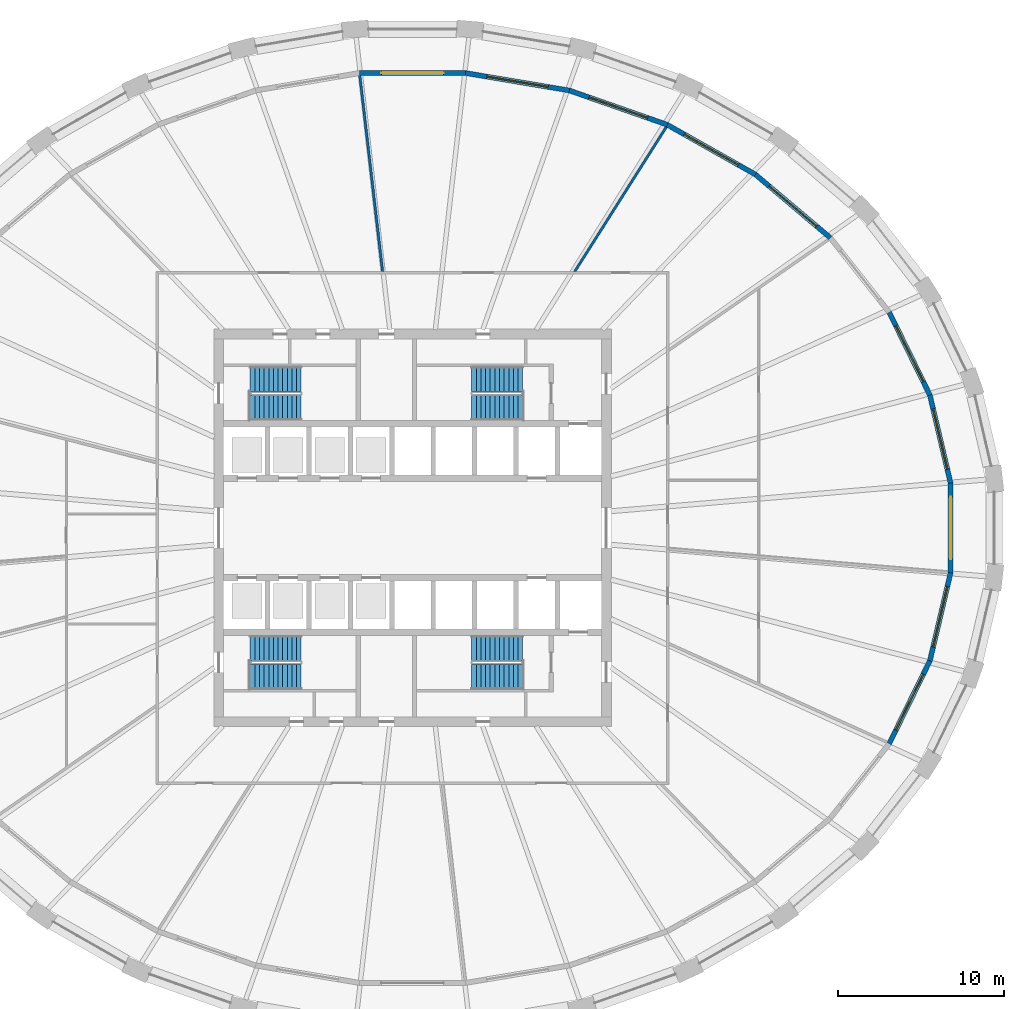
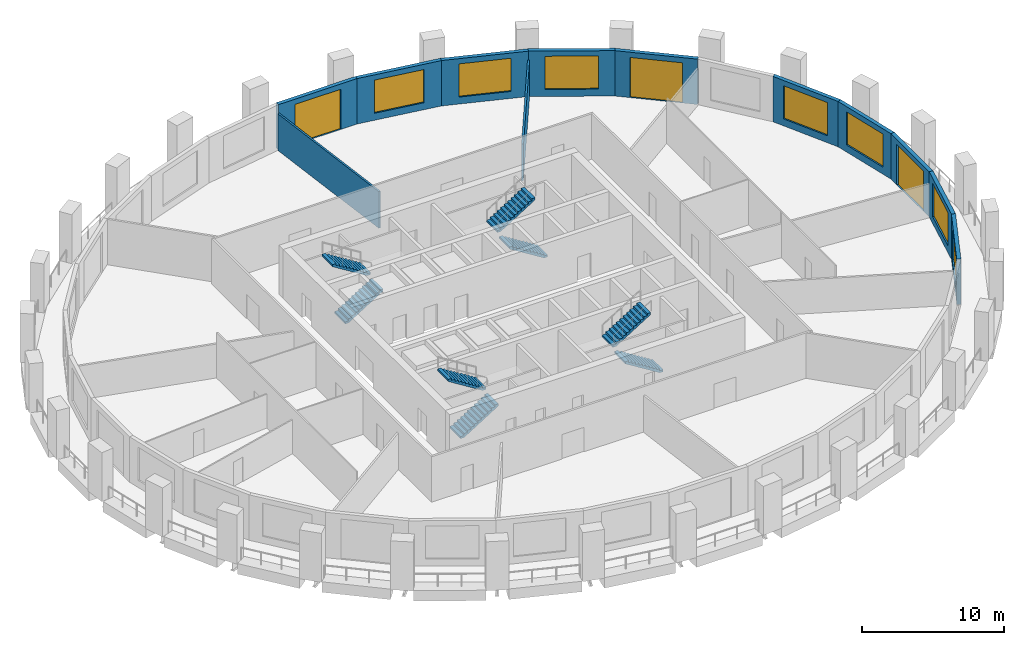
# One storey, part 7 of 10: 12 walls, 8 stair flights, 7 windows, 3 doors, 10 openings, 4 elements without a shape of their own.
"""IFC4 building model written with IfcOpenShell, lengths in metres."""

import ifcopenshell
import ifcopenshell.guid

model = None  # the IFC model being written
_history = None  # IfcOwnerHistory: only IFC2X3 demands one
_inside = {}  # id of a spatial element -> (the spatial element, [elements in it])
_under = {}  # id of a project, library or spatial element -> (it, [spatial elements below it])
_declared = {}  # id of a project -> (the project, [libraries it declares])
_typed = {}  # id of a type object -> (the type object, [elements of that type])
_made_of = {}  # id of a material, layer set ... -> (it, [elements and type objects made of it])


def new_model(schema):
    """Start an empty IFC model of exactly this schema.

    Asked for "IFC4X3", IfcOpenShell would pick the latest addendum, in which some entities
    have other attributes; the version numbers below select the first issue.
    IFC2X3 requires an IfcOwnerHistory on every rooted entity: one is made here for all.
    """
    global model, _history
    if schema == "IFC4X3":
        model = ifcopenshell.file(schema_version=(4, 3, 0, 0))
    else:
        model = ifcopenshell.file(schema=schema)
    _inside.clear()
    _under.clear()
    _declared.clear()
    _typed.clear()
    _made_of.clear()
    _history = None
    if model.schema == "IFC2X3":
        org = make("IfcOrganization", Name="unknown")
        user = make(
            "IfcPersonAndOrganization",
            ThePerson=make("IfcPerson", FamilyName="unknown"),
            TheOrganization=org,
        )
        app = make(
            "IfcApplication",
            ApplicationDeveloper=org,
            Version="unknown",
            ApplicationFullName="unknown",
            ApplicationIdentifier="unknown",
        )
        _history = make(
            "IfcOwnerHistory",
            OwningUser=user,
            OwningApplication=app,
            ChangeAction="ADDED",
            CreationDate=0,
        )
    return model


def make(cls, **values):
    """One entity of the class cls with the attributes given. An attribute that is None is left unset."""
    return model.create_entity(
        cls, **{name: value for name, value in values.items() if value is not None}
    )


def rooted(cls, **values):
    """An entity with a GlobalId (a new one), such as an element, a storey or a relation."""
    return make(cls, GlobalId=ifcopenshell.guid.new(), OwnerHistory=_history, **values)


def si_unit(unit_type, name, prefix=None):
    """IfcSIUnit, for example si_unit("LENGTHUNIT", "METRE", prefix="MILLI")."""
    return make("IfcSIUnit", UnitType=unit_type, Prefix=prefix, Name=name)


def assignment(units):
    """IfcUnitAssignment: the units of a project."""
    return None if units is None else make("IfcUnitAssignment", Units=units)


def point(xyz):
    """IfcCartesianPoint."""
    return None if xyz is None else make("IfcCartesianPoint", Coordinates=xyz)


def direction(xyz):
    """IfcDirection."""
    return None if xyz is None else make("IfcDirection", DirectionRatios=xyz)


def frame(location, z_axis=None, x_axis=None):
    """IfcAxis2Placement3D, a coordinate frame: its origin and axes. An axis left out is left unset."""
    return make(
        "IfcAxis2Placement3D",
        Location=point(location),
        Axis=direction(z_axis),
        RefDirection=direction(x_axis),
    )


def frame_2d(location, x_axis=None):
    """IfcAxis2Placement2D, a coordinate frame in the plane: its origin and x axis."""
    return make(
        "IfcAxis2Placement2D", Location=point(location), RefDirection=direction(x_axis)
    )


def origin():
    """The frame at (0, 0, 0) with its axes left unset."""
    return frame((0.0, 0.0, 0.0))


def place(relative_to, where):
    """IfcLocalPlacement: puts the frame where relative to a parent placement (None: the world)."""
    return make(
        "IfcLocalPlacement", PlacementRelTo=relative_to, RelativePlacement=where
    )


def context(
    kind, dimensions, precision=None, world=None, true_north=None, identifier=None
):
    """IfcGeometricRepresentationContext, for example the 3D "Model" context."""
    return make(
        "IfcGeometricRepresentationContext",
        ContextIdentifier=identifier,
        ContextType=kind,
        CoordinateSpaceDimension=dimensions,
        Precision=precision,
        WorldCoordinateSystem=world,
        TrueNorth=true_north,
    )


def subcontext(parent, identifier, kind, view, scale=None):
    """IfcGeometricRepresentationSubContext, for example "Body" below "Model"."""
    return make(
        "IfcGeometricRepresentationSubContext",
        ContextIdentifier=identifier,
        ContextType=kind,
        ParentContext=parent,
        TargetScale=scale,
        TargetView=view,
    )


def project(units=None, contexts=None):
    """IfcProject with its units and contexts."""
    return rooted(
        "IfcProject",
        Name="project",
        RepresentationContexts=contexts,
        UnitsInContext=assignment(units),
    )


def spatial(cls, under=None, at=None, **own):
    """A site, building, storey or space (cls), placed at a placement, below another one or the project."""
    s = rooted(cls, ObjectPlacement=at, **own)
    if under is not None:
        _under.setdefault(under.id(), (under, []))[1].append(s)
    return s


def polyline(points):
    """IfcPolyline through the points."""
    return make("IfcPolyline", Points=[point(p) for p in points])


def profile(cls, at=None, kind="AREA", **sizes):
    """A parametric profile (cls). Its sizes go by their IFC names, for example OverallWidth=200.0."""
    return make(cls, ProfileType=kind, Position=at, **sizes)


def rectangle(**sizes):
    """IfcRectangleProfileDef."""
    return profile("IfcRectangleProfileDef", **sizes)


def outline(outer, holes=None, kind="AREA"):
    """IfcArbitraryClosedProfileDef: a profile drawn as a closed curve; with holes, ...WithVoids."""
    if holes is None:
        return make("IfcArbitraryClosedProfileDef", ProfileType=kind, OuterCurve=outer)
    return make(
        "IfcArbitraryProfileDefWithVoids",
        ProfileType=kind,
        OuterCurve=outer,
        InnerCurves=holes,
    )


def extrude(swept, where, along, depth):
    """IfcExtrudedAreaSolid: the profile swept, set in the frame where, extruded along a direction by depth."""
    return make(
        "IfcExtrudedAreaSolid",
        SweptArea=swept,
        Position=where,
        ExtrudedDirection=direction(along),
        Depth=depth,
    )


def shape(context_of_items, identifier, shape_type, items):
    """IfcShapeRepresentation: the items that make up one representation, for example the "Body"."""
    return make(
        "IfcShapeRepresentation",
        ContextOfItems=context_of_items,
        RepresentationIdentifier=identifier,
        RepresentationType=shape_type,
        Items=items,
    )


def material(Name=None, Category=None):
    """IfcMaterial."""
    return make("IfcMaterial", Name=Name, Category=Category)


def layer(
    of_material, thickness, ventilated=None, Name=None, Category=None, Priority=None
):
    """IfcMaterialLayer: one layer of a wall or slab, of a material (None: an air gap)."""
    return make(
        "IfcMaterialLayer",
        Material=of_material,
        LayerThickness=thickness,
        IsVentilated=ventilated,
        Name=Name,
        Category=Category,
        Priority=Priority,
    )


def layer_set(layers, Name=None):
    """IfcMaterialLayerSet."""
    return make("IfcMaterialLayerSet", MaterialLayers=layers, LayerSetName=Name)


def made_of(thing, what):
    """Note that an element or type object is made of a material, layer set ...; save() writes the relation."""
    if what is not None:
        _made_of.setdefault(what.id(), (what, []))[1].append(thing)
    return thing


def type_object(cls, material=None, **own):
    """A type object (cls), such as IfcWallType, which elements share."""
    return made_of(rooted(cls, **own), material)


def element(
    cls,
    number,
    at=None,
    inside=None,
    cuts=None,
    type_object=None,
    material=None,
    context=None,
    identifier="Body",
    shape_type=None,
    held_by="IfcProductDefinitionShape",
    body=None,
    shapes=None,
    **own,
):
    """One element of the class cls, such as IfcWall. Its Tag is "e" and its number.

    at: its placement. inside: the storey or other place that contains it. cuts: it is an
    opening in that element (IfcRelVoidsElement). A single representation is given by context,
    identifier, shape_type and body (its items); several are given by shapes. held_by: the class
    of the entity that holds the representations. save() writes the other relations.
    """
    e = rooted(cls, Tag="e%d" % number, ObjectPlacement=at, **own)
    if body is not None:
        shapes = [shape(context, identifier, shape_type, body)]
    if shapes is not None:
        e.Representation = make(held_by, Representations=shapes)
    if inside is not None:
        _inside.setdefault(inside.id(), (inside, []))[1].append(e)
    if cuts is not None:
        rooted(
            "IfcRelVoidsElement", RelatingBuildingElement=cuts, RelatedOpeningElement=e
        )
    if type_object is not None:
        _typed.setdefault(type_object.id(), (type_object, []))[1].append(e)
    return made_of(e, material)


def fill(opening, filler):
    """IfcRelFillsElement: the door or window that sits in an opening."""
    return rooted(
        "IfcRelFillsElement",
        RelatingOpeningElement=opening,
        RelatedBuildingElement=filler,
    )


def aggregate(whole, parts):
    """IfcRelAggregates: a whole, such as a stair, and the parts it consists of."""
    return rooted("IfcRelAggregates", RelatingObject=whole, RelatedObjects=parts)


def save(model, path):
    """Write the relations noted so far, then the file.

    IfcRelAggregates (storeys below a building ...), IfcRelContainedInSpatialStructure (elements
    in a storey), IfcRelDefinesByType, IfcRelAssociatesMaterial and IfcRelDeclares: one each for
    every whole, place, type object, material and project.
    """
    for whole, parts in _under.values():
        aggregate(whole, parts)
    for where, things in _inside.values():
        rooted(
            "IfcRelContainedInSpatialStructure",
            RelatedElements=things,
            RelatingStructure=where,
        )
    for kind, things in _typed.values():
        rooted("IfcRelDefinesByType", RelatedObjects=things, RelatingType=kind)
    for what, things in _made_of.values():
        rooted("IfcRelAssociatesMaterial", RelatedObjects=things, RelatingMaterial=what)
    for by, libraries in _declared.values():
        rooted("IfcRelDeclares", RelatingContext=by, RelatedDefinitions=libraries)
    model.write(path)


model = new_model("IFC4")

# Units and contexts
model_context = context("Model", 3, precision=1e-05, world=origin(), true_north=direction((0.0, 1.0)))
body_context = subcontext(model_context, "Body", "Model", "MODEL_VIEW")
ifc_project = project(units=[si_unit("LENGTHUNIT", "METRE"), si_unit("AREAUNIT", "SQUARE_METRE"), si_unit("VOLUMEUNIT", "CUBIC_METRE"), si_unit("PLANEANGLEUNIT", "RADIAN"), si_unit("MASSUNIT", "GRAM", prefix="KILO")], contexts=[model_context])

# Site, building, storey
site_placement = place(None, origin())
site = spatial("IfcSite", under=ifc_project, at=site_placement, CompositionType="ELEMENT")
building_placement = place(site_placement, origin())
building = spatial("IfcBuilding", under=site, at=building_placement, Name="Halqa Exchange Tower", CompositionType="ELEMENT")
storey_placement = place(building_placement, frame((0.0, 0.0, 104.5)))
storey = spatial("IfcBuildingStorey", under=building, at=storey_placement, Name="L23", CompositionType="ELEMENT", Elevation=104.5)

# Walls
ifc_material_1 = material(Name="Fire-rated gypsum board")
ifc_layer_1 = layer(ifc_material_1, 0.14990234375)
ifc_layer_set_1 = layer_set([ifc_layer_1], Name="Fire-rated gypsum board")
wall_type_1 = type_object("IfcWallType", Name="Fire partition EI 60 150", PredefinedType="PARTITIONING", material=ifc_layer_set_1)
wall_1_placement = place(storey_placement, frame((-1.8076171875, 15.466552734375, 0.0), z_axis=(0.0, 0.0, 1.0), x_axis=(-0.115425226741, 0.993316171736, 0.0)))
element("IfcWall", 1, at=wall_1_placement, inside=storey, type_object=wall_type_1, Name="L23-PWL-013", PredefinedType="PARTITIONING", context=body_context, shape_type="SweptSolid", body=[
    extrude(outline(polyline([(0.0, -0.074951171875), (1.98681640625, -0.074951171875), (3.973388671875, -0.074951171875), (5.960205078125, -0.074951171875), (7.947021484375, -0.074951171875), (9.93359375, -0.074951171875), (11.92041015625, -0.074951171875), (11.925048828125, -0.03466796875), (11.925048828125, 0.074951171875), (9.9404296875, 0.074951171875), (7.955810546875, 0.074951171875), (5.97119140625, 0.074951171875), (3.986572265625, 0.074951171875), (2.001953125, 0.074951171875), (0.017333984375, 0.074951171875), (0.0, -0.0732421875), (0.0, -0.074951171875)])), origin(), (0.0, 0.0, 1.0), 3.14697265625),
])
wall_2_placement = place(storey_placement, frame((9.76220703125, 15.43505859375, 0.0), z_axis=(0.0, 0.0, 1.0), x_axis=(0.535189090909, 0.844732287161, 0.0)))
element("IfcWall", 2, at=wall_2_placement, inside=storey, type_object=wall_type_1, Name="L23-PWL-015", PredefinedType="PARTITIONING", context=body_context, shape_type="SweptSolid", body=[
    extrude(outline(polyline([(10.3857421875, -0.074951171875), (10.3857421875, -0.0693359375), (10.382080078125, 0.003662109375), (10.365478515625, 0.074951171875), (8.637939453125, 0.074951171875), (6.910400390625, 0.074951171875), (5.182861328125, 0.074951171875), (3.455078125, 0.074951171875), (1.7275390625, 0.074951171875), (0.0, 0.074951171875), (0.0, 0.07470703125), (0.0947265625, -0.074951171875), (1.809814453125, -0.074951171875), (3.525146484375, -0.074951171875), (5.240234375, -0.074951171875), (6.955322265625, -0.074951171875), (8.670654296875, -0.074951171875), (10.3857421875, -0.074951171875)])), origin(), (0.0, 0.0, 1.0), 3.14697265625),
])

# Wall, opening, window
ifc_material_2 = material(Name="Limestone cladding", Category="masonry")
ifc_layer_2 = layer(ifc_material_2, 0.0400390625)
ifc_material_3 = material(Name="Ventilated cavity")
ifc_layer_3 = layer(ifc_material_3, 0.030029296875, ventilated=True)
ifc_material_4 = material(Name="Mineral wool insulation")
ifc_layer_4 = layer(ifc_material_4, 0.10009765625)
ifc_material_5 = material(Name="Concrete C30/37", Category="concrete")
ifc_layer_5 = layer(ifc_material_5, 0.10009765625)
ifc_material_6 = material(Name="Internal plaster")
ifc_layer_6 = layer(ifc_material_6, 0.030029296875)
ifc_layer_set_2 = layer_set([ifc_layer_2, ifc_layer_3, ifc_layer_4, ifc_layer_5, ifc_layer_6], Name="Stone-faced insulated wall 300")
wall_type_2 = type_object("IfcWallType", Name="Stone-faced insulated wall 300", PredefinedType="STANDARD", material=ifc_layer_set_2)
wall_3_placement = place(storey_placement, frame((32.483154296875, 2.707763671875, 0.0), z_axis=(0.0, 0.0, 1.0), x_axis=(-0.229193964616, 0.973380771632, 0.0)))
wall_3 = element("IfcWall", 3, at=wall_3_placement, inside=storey, type_object=wall_type_2, Name="Glass-line wall 1", PredefinedType="STANDARD", context=body_context, shape_type="SweptSolid", body=[
    extrude(outline(polyline([(-0.017333984375, -0.14990234375), (5.472900390625, -0.14990234375), (5.439208984375, 0.14990234375), (0.017333984375, 0.14990234375), (-0.017333984375, -0.14990234375)])), origin(), (0.0, 0.0, 1.0), 3.89990234375),
])
opening_1_placement = place(wall_3_placement, frame((0.85302734375, 0.0, 0.60009765625)))
opening_1 = element("IfcOpeningElement", 4, at=opening_1_placement, cuts=wall_3, Name="Opening W-F2-01", PredefinedType="OPENING", context=body_context, shape_type="SweptSolid", body=[
    extrude(rectangle(XDim=3.75, YDim=2.85009765625, at=frame_2d((1.875, 1.425048828125))), frame((0.0, 0.162109375, 0.0), z_axis=(0.0, -1.0, 0.0), x_axis=(1.0, 0.0, 0.0)), (0.0, 0.0, 1.0), 0.323974609375),
])
ifc_material_7 = material(Name="Clear low-emissivity glass in aluminium frame", Category="aluminium")
window_type = type_object("IfcWindowType", Name="Fixed clear glazed window 3750 x 2850", PartitioningType="TRIPLE_PANEL_VERTICAL", PredefinedType="WINDOW", material=ifc_material_7)
window_1_placement = place(opening_1_placement, origin())
window_1 = element("IfcWindow", 5, at=window_1_placement, inside=storey, type_object=window_type, Name="Window 2", OverallHeight=2.85009765625, OverallWidth=3.75, PartitioningType="TRIPLE_PANEL_VERTICAL", PredefinedType="WINDOW", context=body_context, shape_type="SweptSolid", body=[
    extrude(rectangle(XDim=3.75, YDim=2.85009765625, at=frame_2d((1.875, 1.425048828125))), frame((0.0, 0.030029296875, 0.0), z_axis=(0.0, -1.0, 0.0), x_axis=(1.0, 0.0, 0.0)), (0.0, 0.0, 1.0), 0.06005859375),
])
fill(opening_1, window_1)

wall_4_placement = place(storey_placement, frame((31.232666015625, 8.0185546875, 0.0), z_axis=(0.0, 0.0, 1.0), x_axis=(-0.440238988749, 0.897880633929, 0.0)))
wall_4 = element("IfcWall", 6, at=wall_4_placement, inside=storey, type_object=wall_type_2, Name="Glass-line wall 2", PredefinedType="STANDARD", context=body_context, shape_type="SweptSolid", body=[
    extrude(outline(polyline([(-0.016845703125, -0.14990234375), (5.585693359375, -0.14990234375), (5.553466796875, 0.14990234375), (0.016845703125, 0.14990234375), (-0.016845703125, -0.14990234375)])), origin(), (0.0, 0.0, 1.0), 3.89990234375),
])
opening_2_placement = place(wall_4_placement, frame((0.90966796875, 0.0, 0.60009765625)))
opening_2 = element("IfcOpeningElement", 7, at=opening_2_placement, cuts=wall_4, Name="Opening W-F2-02", PredefinedType="OPENING", context=body_context, shape_type="SweptSolid", body=[
    extrude(rectangle(XDim=3.75, YDim=2.85009765625, at=frame_2d((1.875, 1.425048828125))), frame((0.0, 0.162109375, 0.0), z_axis=(0.0, -1.0, 0.0), x_axis=(1.0, 0.0, 0.0)), (0.0, 0.0, 1.0), 0.323974609375),
])
window_2_placement = place(opening_2_placement, origin())
window_2 = element("IfcWindow", 8, at=window_2_placement, inside=storey, type_object=window_type, Name="Window 2", OverallHeight=2.85009765625, OverallWidth=3.75, PartitioningType="TRIPLE_PANEL_VERTICAL", PredefinedType="WINDOW", context=body_context, shape_type="SweptSolid", body=[
    extrude(rectangle(XDim=3.75, YDim=2.85009765625, at=frame_2d((1.875, 1.425048828125))), frame((0.0, 0.030029296875, 0.0), z_axis=(0.0, -1.0, 0.0), x_axis=(1.0, 0.0, 0.0)), (0.0, 0.0, 1.0), 0.06005859375),
])
fill(opening_2, window_2)

# Wall, opening, door
wall_5_placement = place(storey_placement, frame((25.222900390625, 17.517822265625, 0.0), z_axis=(0.0, 0.0, 1.0), x_axis=(-0.763894031266, 0.645341699409, 0.0)))
wall_5 = element("IfcWall", 9, at=wall_5_placement, inside=storey, type_object=wall_type_2, Name="Glass-line wall 4", PredefinedType="STANDARD", context=body_context, shape_type="SweptSolid", body=[
    extrude(outline(polyline([(-0.01513671875, -0.14990234375), (5.93896484375, -0.14990234375), (5.91064453125, 0.14990234375), (0.01513671875, 0.14990234375), (-0.01513671875, -0.14990234375)])), origin(), (0.0, 0.0, 1.0), 3.89990234375),
])
opening_3_placement = place(wall_5_placement, frame((1.08740234375, 0.0, 0.0)))
opening_3 = element("IfcOpeningElement", 10, at=opening_3_placement, cuts=wall_5, Name="Opening LG-F2-01", PredefinedType="OPENING", context=body_context, shape_type="SweptSolid", body=[
    extrude(rectangle(XDim=3.75, YDim=3.449951171875, at=frame_2d((1.875, 1.72509765625))), frame((0.0, 0.162109375, 0.0), z_axis=(0.0, -1.0, 0.0), x_axis=(1.0, 0.0, 0.0)), (0.0, 0.0, 1.0), 0.323974609375),
])
door_type = type_object("IfcDoorType", Name="Glazed sliding loggia door 3750 x 3450", OperationType="DOUBLE_DOOR_SLIDING", PredefinedType="DOOR", material=ifc_material_7)
door_1_placement = place(opening_3_placement, origin())
door_1 = element("IfcDoor", 11, at=door_1_placement, inside=storey, type_object=door_type, Name="Loggia door 1", OperationType="DOUBLE_DOOR_SLIDING", OverallHeight=3.449951171875, OverallWidth=3.75, PredefinedType="DOOR", context=body_context, shape_type="SweptSolid", body=[
    extrude(rectangle(XDim=3.75, YDim=3.449951171875, at=frame_2d((1.875, 1.72509765625))), frame((0.0, 0.02490234375, 0.0), z_axis=(0.0, -1.0, 0.0), x_axis=(1.0, 0.0, 0.0)), (0.0, 0.0, 1.0), 0.050048828125),
])
fill(opening_3, door_1)

# Wall, opening, window
wall_6_placement = place(storey_placement, frame((20.697021484375, 21.34130859375, 0.0), z_axis=(0.0, 0.0, 1.0), x_axis=(-0.870828448417, 0.491587035455, 0.0)))
wall_6 = element("IfcWall", 12, at=wall_6_placement, inside=storey, type_object=wall_type_2, Name="Glass-line wall 5", PredefinedType="STANDARD", context=body_context, shape_type="SweptSolid", body=[
    extrude(outline(polyline([(-0.01416015625, -0.14990234375), (6.1220703125, -0.14990234375), (6.09521484375, 0.14990234375), (0.01416015625, 0.14990234375), (-0.01416015625, -0.14990234375)])), origin(), (0.0, 0.0, 1.0), 3.89990234375),
])
opening_4_placement = place(wall_6_placement, frame((1.17919921875, 0.0, 0.60009765625)))
opening_4 = element("IfcOpeningElement", 13, at=opening_4_placement, cuts=wall_6, Name="Opening W-F2-05", PredefinedType="OPENING", context=body_context, shape_type="SweptSolid", body=[
    extrude(rectangle(XDim=3.75, YDim=2.85009765625, at=frame_2d((1.875, 1.425048828125))), frame((0.0, 0.162109375, 0.0), z_axis=(0.0, -1.0, 0.0), x_axis=(1.0, 0.0, 0.0)), (0.0, 0.0, 1.0), 0.323974609375),
])
window_3_placement = place(opening_4_placement, origin())
window_3 = element("IfcWindow", 14, at=window_3_placement, inside=storey, type_object=window_type, Name="Window 2", OverallHeight=2.85009765625, OverallWidth=3.75, PartitioningType="TRIPLE_PANEL_VERTICAL", PredefinedType="WINDOW", context=body_context, shape_type="SweptSolid", body=[
    extrude(rectangle(XDim=3.75, YDim=2.85009765625, at=frame_2d((1.875, 1.425048828125))), frame((0.0, 0.030029296875, 0.0), z_axis=(0.0, -1.0, 0.0), x_axis=(1.0, 0.0, 0.0)), (0.0, 0.0, 1.0), 0.06005859375),
])
fill(opening_4, window_3)

wall_7_placement = place(storey_placement, frame((15.37744140625, 24.34423828125, 0.0), z_axis=(0.0, 0.0, 1.0), x_axis=(-0.943866868202, 0.330326104193, 0.0)))
wall_7 = element("IfcWall", 15, at=wall_7_placement, inside=storey, type_object=wall_type_2, Name="Glass-line wall 6", PredefinedType="STANDARD", context=body_context, shape_type="SweptSolid", body=[
    extrude(outline(polyline([(-0.013427734375, -0.14990234375), (6.272705078125, -0.14990234375), (6.247314453125, 0.14990234375), (0.013427734375, 0.14990234375), (-0.013427734375, -0.14990234375)])), origin(), (0.0, 0.0, 1.0), 3.89990234375),
])
opening_5_placement = place(wall_7_placement, frame((1.255126953125, 0.0, 0.60009765625)))
opening_5 = element("IfcOpeningElement", 16, at=opening_5_placement, cuts=wall_7, Name="Opening W-F2-06", PredefinedType="OPENING", context=body_context, shape_type="SweptSolid", body=[
    extrude(rectangle(XDim=3.75, YDim=2.85009765625, at=frame_2d((1.875, 1.425048828125))), frame((0.0, 0.162109375, 0.0), z_axis=(0.0, -1.0, 0.0), x_axis=(1.0, 0.0, 0.0)), (0.0, 0.0, 1.0), 0.323974609375),
])
window_4_placement = place(opening_5_placement, origin())
window_4 = element("IfcWindow", 17, at=window_4_placement, inside=storey, type_object=window_type, Name="Window 2", OverallHeight=2.85009765625, OverallWidth=3.75, PartitioningType="TRIPLE_PANEL_VERTICAL", PredefinedType="WINDOW", context=body_context, shape_type="SweptSolid", body=[
    extrude(rectangle(XDim=3.75, YDim=2.85009765625, at=frame_2d((1.875, 1.425048828125))), frame((0.0, 0.030029296875, 0.0), z_axis=(0.0, -1.0, 0.0), x_axis=(1.0, 0.0, 0.0)), (0.0, 0.0, 1.0), 0.06005859375),
])
fill(opening_5, window_4)

wall_8_placement = place(storey_placement, frame((9.46875, 26.412109375, 0.0), z_axis=(0.0, 0.0, 1.0), x_axis=(-0.986178310488, 0.165687476666, 0.0)))
wall_8 = element("IfcWall", 18, at=wall_8_placement, inside=storey, type_object=wall_type_2, Name="Glass-line wall 7", PredefinedType="STANDARD", context=body_context, shape_type="SweptSolid", body=[
    extrude(outline(polyline([(-0.0126953125, -0.14990234375), (6.3720703125, -0.14990234375), (6.34716796875, 0.14990234375), (0.0126953125, 0.14990234375), (-0.0126953125, -0.14990234375)])), origin(), (0.0, 0.0, 1.0), 3.89990234375),
])
opening_6_placement = place(wall_8_placement, frame((1.3046875, 0.0, 0.60009765625)))
opening_6 = element("IfcOpeningElement", 19, at=opening_6_placement, cuts=wall_8, Name="Opening W-F2-07", PredefinedType="OPENING", context=body_context, shape_type="SweptSolid", body=[
    extrude(rectangle(XDim=3.75, YDim=2.85009765625, at=frame_2d((1.875, 1.425048828125))), frame((0.0, 0.162109375, 0.0), z_axis=(0.0, -1.0, 0.0), x_axis=(1.0, 0.0, 0.0)), (0.0, 0.0, 1.0), 0.323974609375),
])
window_5_placement = place(opening_6_placement, origin())
window_5 = element("IfcWindow", 20, at=window_5_placement, inside=storey, type_object=window_type, Name="Window 2", OverallHeight=2.85009765625, OverallWidth=3.75, PartitioningType="TRIPLE_PANEL_VERTICAL", PredefinedType="WINDOW", context=body_context, shape_type="SweptSolid", body=[
    extrude(rectangle(XDim=3.75, YDim=2.85009765625, at=frame_2d((1.875, 1.425048828125))), frame((0.0, 0.030029296875, 0.0), z_axis=(0.0, -1.0, 0.0), x_axis=(1.0, 0.0, 0.0)), (0.0, 0.0, 1.0), 0.06005859375),
])
fill(opening_6, window_5)

# Wall, opening, door
wall_9_placement = place(storey_placement, frame((3.197021484375, 27.4658203125, 0.0), z_axis=(0.0, 0.0, 1.0), x_axis=(-1.0, 0.0, 0.0)))
wall_9 = element("IfcWall", 21, at=wall_9_placement, inside=storey, type_object=wall_type_2, Name="Glass-line wall 8", PredefinedType="STANDARD", context=body_context, shape_type="SweptSolid", body=[
    extrude(outline(polyline([(-0.012451171875, -0.14990234375), (6.406494140625, -0.14990234375), (6.381591796875, 0.14990234375), (0.012451171875, 0.14990234375), (-0.012451171875, -0.14990234375)])), origin(), (0.0, 0.0, 1.0), 3.89990234375),
])
opening_7_placement = place(wall_9_placement, frame((1.322021484375, 0.0, 0.0)))
opening_7 = element("IfcOpeningElement", 22, at=opening_7_placement, cuts=wall_9, Name="Opening LG-F2-02", PredefinedType="OPENING", context=body_context, shape_type="SweptSolid", body=[
    extrude(rectangle(XDim=3.75, YDim=3.449951171875, at=frame_2d((1.875, 1.72509765625))), frame((0.0, 0.162109375, 0.0), z_axis=(0.0, -1.0, 0.0), x_axis=(1.0, 0.0, 0.0)), (0.0, 0.0, 1.0), 0.323974609375),
])
door_2_placement = place(opening_7_placement, origin())
door_2 = element("IfcDoor", 23, at=door_2_placement, inside=storey, type_object=door_type, Name="Loggia door 2", OperationType="DOUBLE_DOOR_SLIDING", OverallHeight=3.449951171875, OverallWidth=3.75, PredefinedType="DOOR", context=body_context, shape_type="SweptSolid", body=[
    extrude(rectangle(XDim=3.75, YDim=3.449951171875, at=frame_2d((1.875, 1.72509765625))), frame((0.0, 0.02490234375, 0.0), z_axis=(0.0, -1.0, 0.0), x_axis=(1.0, 0.0, 0.0)), (0.0, 0.0, 1.0), 0.050048828125),
])
fill(opening_7, door_2)

# Wall, opening, window
wall_10_placement = place(storey_placement, frame((28.78076171875, -13.019287109375, 0.0), z_axis=(0.0, 0.0, 1.0), x_axis=(0.440238988749, 0.897880633929, 0.0)))
wall_10 = element("IfcWall", 24, at=wall_10_placement, inside=storey, type_object=wall_type_2, Name="Glass-line wall 30", PredefinedType="STANDARD", context=body_context, shape_type="SweptSolid", body=[
    extrude(outline(polyline([(-0.01611328125, -0.14990234375), (5.58642578125, -0.14990234375), (5.552734375, 0.14990234375), (0.01611328125, 0.14990234375), (-0.01611328125, -0.14990234375)])), origin(), (0.0, 0.0, 1.0), 3.89990234375),
])
opening_8_placement = place(wall_10_placement, frame((0.90966796875, 0.0, 0.60009765625)))
opening_8 = element("IfcOpeningElement", 25, at=opening_8_placement, cuts=wall_10, Name="Opening W-F2-30", PredefinedType="OPENING", context=body_context, shape_type="SweptSolid", body=[
    extrude(rectangle(XDim=3.75, YDim=2.85009765625, at=frame_2d((1.875, 1.425048828125))), frame((0.0, 0.162109375, 0.0), z_axis=(0.0, -1.0, 0.0), x_axis=(1.0, 0.0, 0.0)), (0.0, 0.0, 1.0), 0.323974609375),
])
window_6_placement = place(opening_8_placement, origin())
window_6 = element("IfcWindow", 26, at=window_6_placement, inside=storey, type_object=window_type, Name="Window 2", OverallHeight=2.85009765625, OverallWidth=3.75, PartitioningType="TRIPLE_PANEL_VERTICAL", PredefinedType="WINDOW", context=body_context, shape_type="SweptSolid", body=[
    extrude(rectangle(XDim=3.75, YDim=2.85009765625, at=frame_2d((1.875, 1.425048828125))), frame((0.0, 0.030029296875, 0.0), z_axis=(0.0, -1.0, 0.0), x_axis=(1.0, 0.0, 0.0)), (0.0, 0.0, 1.0), 0.06005859375),
])
fill(opening_8, window_6)

wall_11_placement = place(storey_placement, frame((31.232666015625, -8.0185546875, 0.0), z_axis=(0.0, 0.0, 1.0), x_axis=(0.229193964616, 0.973380771632, 0.0)))
wall_11 = element("IfcWall", 27, at=wall_11_placement, inside=storey, type_object=wall_type_2, Name="Glass-line wall 31", PredefinedType="STANDARD", context=body_context, shape_type="SweptSolid", body=[
    extrude(outline(polyline([(-0.016845703125, -0.14990234375), (5.473388671875, -0.14990234375), (5.438720703125, 0.14990234375), (0.016845703125, 0.14990234375), (-0.016845703125, -0.14990234375)])), origin(), (0.0, 0.0, 1.0), 3.89990234375),
])
opening_9_placement = place(wall_11_placement, frame((0.85302734375, 0.0, 0.60009765625)))
opening_9 = element("IfcOpeningElement", 28, at=opening_9_placement, cuts=wall_11, Name="Opening W-F2-31", PredefinedType="OPENING", context=body_context, shape_type="SweptSolid", body=[
    extrude(rectangle(XDim=3.75, YDim=2.85009765625, at=frame_2d((1.875, 1.425048828125))), frame((0.0, 0.162109375, 0.0), z_axis=(0.0, -1.0, 0.0), x_axis=(1.0, 0.0, 0.0)), (0.0, 0.0, 1.0), 0.323974609375),
])
window_7_placement = place(opening_9_placement, origin())
window_7 = element("IfcWindow", 29, at=window_7_placement, inside=storey, type_object=window_type, Name="Window 2", OverallHeight=2.85009765625, OverallWidth=3.75, PartitioningType="TRIPLE_PANEL_VERTICAL", PredefinedType="WINDOW", context=body_context, shape_type="SweptSolid", body=[
    extrude(rectangle(XDim=3.75, YDim=2.85009765625, at=frame_2d((1.875, 1.425048828125))), frame((0.0, 0.030029296875, 0.0), z_axis=(0.0, -1.0, 0.0), x_axis=(1.0, 0.0, 0.0)), (0.0, 0.0, 1.0), 0.06005859375),
])
fill(opening_9, window_7)

# Wall, opening, door
wall_12_placement = place(storey_placement, frame((32.483154296875, -2.707763671875, 0.0), z_axis=(0.0, 0.0, 1.0), x_axis=(0.0, 1.0, 0.0)))
wall_12 = element("IfcWall", 30, at=wall_12_placement, inside=storey, type_object=wall_type_2, Name="Glass-line wall 32", PredefinedType="STANDARD", context=body_context, shape_type="SweptSolid", body=[
    extrude(outline(polyline([(-0.017333984375, -0.14990234375), (5.432861328125, -0.14990234375), (5.398193359375, 0.14990234375), (0.017333984375, 0.14990234375), (-0.017333984375, -0.14990234375)])), origin(), (0.0, 0.0, 1.0), 3.89990234375),
])
opening_10_placement = place(wall_12_placement, frame((0.832763671875, 0.0, 0.0)))
opening_10 = element("IfcOpeningElement", 31, at=opening_10_placement, cuts=wall_12, Name="Opening LG-F2-08", PredefinedType="OPENING", context=body_context, shape_type="SweptSolid", body=[
    extrude(rectangle(XDim=3.75, YDim=3.449951171875, at=frame_2d((1.875, 1.72509765625))), frame((0.0, 0.162109375, 0.0), z_axis=(0.0, -1.0, 0.0), x_axis=(1.0, 0.0, 0.0)), (0.0, 0.0, 1.0), 0.323974609375),
])
door_3_placement = place(opening_10_placement, origin())
door_3 = element("IfcDoor", 32, at=door_3_placement, inside=storey, type_object=door_type, Name="Loggia door 8", OperationType="DOUBLE_DOOR_SLIDING", OverallHeight=3.449951171875, OverallWidth=3.75, PredefinedType="DOOR", context=body_context, shape_type="SweptSolid", body=[
    extrude(rectangle(XDim=3.75, YDim=3.449951171875, at=frame_2d((1.875, 1.72509765625))), frame((0.0, 0.02490234375, 0.0), z_axis=(0.0, -1.0, 0.0), x_axis=(1.0, 0.0, 0.0)), (0.0, 0.0, 1.0), 0.050048828125),
])
fill(opening_10, door_3)

# Stair, stair flights
stair_type = type_object("IfcStairType", Name="Exit stair 1500 wide", PredefinedType="HALF_TURN_STAIR", material=ifc_material_5)
stair_1_placement = place(storey_placement, origin())
stair_1 = element("IfcStair", 33, at=stair_1_placement, inside=storey, type_object=stair_type, Name="Exit stair ST1", PredefinedType="HALF_TURN_STAIR")
stair_flight_type = type_object("IfcStairFlightType", Name="Stair flight 1500 wide", PredefinedType="STRAIGHT", material=ifc_material_5)
stair_flight_1_placement = place(storey_placement, frame((-9.800048828125, 7.25, 0.0), z_axis=(0.0, 0.0, 1.0), x_axis=(1.0, 0.0, 0.0)))
stair_flight_1 = element("IfcStairFlight", 34, at=stair_flight_1_placement, type_object=stair_flight_type, Name="ST1 flight 1", NumberOfRisers=12, NumberOfTreads=11, PredefinedType="STRAIGHT", RiserHeight=0.175, TreadLength=0.28, context=body_context, shape_type="SweptSolid", body=[
    extrude(outline(polyline([(0.0, 0.0), (0.0, 0.175048828125), (0.280029296875, 0.175048828125), (0.280029296875, 0.35009765625), (0.56005859375, 0.35009765625), (0.56005859375, 0.52490234375), (0.840087890625, 0.52490234375), (0.840087890625, 0.699951171875), (1.1201171875, 0.699951171875), (1.1201171875, 0.875), (1.39990234375, 0.875), (1.39990234375, 1.050048828125), (1.679931640625, 1.050048828125), (1.679931640625, 1.22509765625), (1.9599609375, 1.22509765625), (1.9599609375, 1.39990234375), (2.239990234375, 1.39990234375), (2.239990234375, 1.574951171875), (2.52001953125, 1.574951171875), (2.52001953125, 1.75), (2.800048828125, 1.75), (2.800048828125, 1.925048828125), (3.080078125, 1.925048828125), (3.080078125, 2.10009765625), (3.080078125, 1.748291015625), (0.28271484375, 0.0), (0.0, 0.0)])), frame((0.0, 0.75, 0.0), z_axis=(0.0, -1.0, 0.0), x_axis=(1.0, 0.0, 0.0)), (0.0, 0.0, 1.0), 1.5),
])
stair_flight_2_placement = place(storey_placement, frame((-6.719970703125, 9.0, 2.10009765625), z_axis=(0.0, 0.0, 1.0), x_axis=(-1.0, 0.0, 0.0)))
stair_flight_2 = element("IfcStairFlight", 35, at=stair_flight_2_placement, type_object=stair_flight_type, Name="ST1 flight 2", NumberOfRisers=12, NumberOfTreads=11, PredefinedType="STRAIGHT", RiserHeight=0.175, TreadLength=0.28, context=body_context, shape_type="SweptSolid", body=[
    extrude(outline(polyline([(0.0, 0.0), (0.0, 0.175048828125), (0.280029296875, 0.175048828125), (0.280029296875, 0.35009765625), (0.56005859375, 0.35009765625), (0.56005859375, 0.52490234375), (0.840087890625, 0.52490234375), (0.840087890625, 0.699951171875), (1.1201171875, 0.699951171875), (1.1201171875, 0.875), (1.39990234375, 0.875), (1.39990234375, 1.050048828125), (1.679931640625, 1.050048828125), (1.679931640625, 1.22509765625), (1.9599609375, 1.22509765625), (1.9599609375, 1.39990234375), (2.239990234375, 1.39990234375), (2.239990234375, 1.574951171875), (2.52001953125, 1.574951171875), (2.52001953125, 1.75), (2.800048828125, 1.75), (2.800048828125, 1.925048828125), (3.080078125, 1.925048828125), (3.080078125, 2.10009765625), (3.080078125, 1.748291015625), (0.28271484375, 0.0), (0.0, 0.0)])), frame((0.0, 0.75, 0.0), z_axis=(0.0, -1.0, 0.0), x_axis=(1.0, 0.0, 0.0)), (0.0, 0.0, 1.0), 1.5),
])
aggregate(stair_1, [stair_flight_1, stair_flight_2])

stair_2_placement = place(storey_placement, origin())
stair_2 = element("IfcStair", 36, at=stair_2_placement, inside=storey, type_object=stair_type, Name="Exit stair ST2", PredefinedType="HALF_TURN_STAIR")
stair_flight_3_placement = place(storey_placement, frame((6.64990234375, 7.25, 0.0), z_axis=(0.0, 0.0, 1.0), x_axis=(-1.0, 0.0, 0.0)))
stair_flight_3 = element("IfcStairFlight", 37, at=stair_flight_3_placement, type_object=stair_flight_type, Name="ST2 flight 1", NumberOfRisers=12, NumberOfTreads=11, PredefinedType="STRAIGHT", RiserHeight=0.175, TreadLength=0.28, context=body_context, shape_type="SweptSolid", body=[
    extrude(outline(polyline([(0.0, 0.0), (0.0, 0.175048828125), (0.280029296875, 0.175048828125), (0.280029296875, 0.35009765625), (0.56005859375, 0.35009765625), (0.56005859375, 0.52490234375), (0.840087890625, 0.52490234375), (0.840087890625, 0.699951171875), (1.1201171875, 0.699951171875), (1.1201171875, 0.875), (1.39990234375, 0.875), (1.39990234375, 1.050048828125), (1.679931640625, 1.050048828125), (1.679931640625, 1.22509765625), (1.9599609375, 1.22509765625), (1.9599609375, 1.39990234375), (2.239990234375, 1.39990234375), (2.239990234375, 1.574951171875), (2.52001953125, 1.574951171875), (2.52001953125, 1.75), (2.800048828125, 1.75), (2.800048828125, 1.925048828125), (3.080078125, 1.925048828125), (3.080078125, 2.10009765625), (3.080078125, 1.748291015625), (0.28271484375, 0.0), (0.0, 0.0)])), frame((0.0, 0.75, 0.0), z_axis=(0.0, -1.0, 0.0), x_axis=(1.0, 0.0, 0.0)), (0.0, 0.0, 1.0), 1.5),
])
stair_flight_4_placement = place(storey_placement, frame((3.570068359375, 9.0, 2.10009765625), z_axis=(0.0, 0.0, 1.0), x_axis=(1.0, 0.0, 0.0)))
stair_flight_4 = element("IfcStairFlight", 38, at=stair_flight_4_placement, type_object=stair_flight_type, Name="ST2 flight 2", NumberOfRisers=12, NumberOfTreads=11, PredefinedType="STRAIGHT", RiserHeight=0.175, TreadLength=0.28, context=body_context, shape_type="SweptSolid", body=[
    extrude(outline(polyline([(0.0, 0.0), (0.0, 0.175048828125), (0.280029296875, 0.175048828125), (0.280029296875, 0.35009765625), (0.56005859375, 0.35009765625), (0.56005859375, 0.52490234375), (0.840087890625, 0.52490234375), (0.840087890625, 0.699951171875), (1.1201171875, 0.699951171875), (1.1201171875, 0.875), (1.39990234375, 0.875), (1.39990234375, 1.050048828125), (1.679931640625, 1.050048828125), (1.679931640625, 1.22509765625), (1.9599609375, 1.22509765625), (1.9599609375, 1.39990234375), (2.239990234375, 1.39990234375), (2.239990234375, 1.574951171875), (2.52001953125, 1.574951171875), (2.52001953125, 1.75), (2.800048828125, 1.75), (2.800048828125, 1.925048828125), (3.080078125, 1.925048828125), (3.080078125, 2.10009765625), (3.080078125, 1.748291015625), (0.28271484375, 0.0), (0.0, 0.0)])), frame((0.0, 0.75, 0.0), z_axis=(0.0, -1.0, 0.0), x_axis=(1.0, 0.0, 0.0)), (0.0, 0.0, 1.0), 1.5),
])
aggregate(stair_2, [stair_flight_3, stair_flight_4])

stair_3_placement = place(storey_placement, origin())
stair_3 = element("IfcStair", 39, at=stair_3_placement, inside=storey, type_object=stair_type, Name="Exit stair ST3", PredefinedType="HALF_TURN_STAIR")
stair_flight_5_placement = place(storey_placement, frame((-9.800048828125, -9.0, 0.0), z_axis=(0.0, 0.0, 1.0), x_axis=(1.0, 0.0, 0.0)))
stair_flight_5 = element("IfcStairFlight", 40, at=stair_flight_5_placement, type_object=stair_flight_type, Name="ST3 flight 1", NumberOfRisers=12, NumberOfTreads=11, PredefinedType="STRAIGHT", RiserHeight=0.175, TreadLength=0.28, context=body_context, shape_type="SweptSolid", body=[
    extrude(outline(polyline([(0.0, 0.0), (0.0, 0.175048828125), (0.280029296875, 0.175048828125), (0.280029296875, 0.35009765625), (0.56005859375, 0.35009765625), (0.56005859375, 0.52490234375), (0.840087890625, 0.52490234375), (0.840087890625, 0.699951171875), (1.1201171875, 0.699951171875), (1.1201171875, 0.875), (1.39990234375, 0.875), (1.39990234375, 1.050048828125), (1.679931640625, 1.050048828125), (1.679931640625, 1.22509765625), (1.9599609375, 1.22509765625), (1.9599609375, 1.39990234375), (2.239990234375, 1.39990234375), (2.239990234375, 1.574951171875), (2.52001953125, 1.574951171875), (2.52001953125, 1.75), (2.800048828125, 1.75), (2.800048828125, 1.925048828125), (3.080078125, 1.925048828125), (3.080078125, 2.10009765625), (3.080078125, 1.748291015625), (0.28271484375, 0.0), (0.0, 0.0)])), frame((0.0, 0.75, 0.0), z_axis=(0.0, -1.0, 0.0), x_axis=(1.0, 0.0, 0.0)), (0.0, 0.0, 1.0), 1.5),
])
stair_flight_6_placement = place(storey_placement, frame((-6.719970703125, -7.25, 2.10009765625), z_axis=(0.0, 0.0, 1.0), x_axis=(-1.0, 0.0, 0.0)))
stair_flight_6 = element("IfcStairFlight", 41, at=stair_flight_6_placement, type_object=stair_flight_type, Name="ST3 flight 2", NumberOfRisers=12, NumberOfTreads=11, PredefinedType="STRAIGHT", RiserHeight=0.175, TreadLength=0.28, context=body_context, shape_type="SweptSolid", body=[
    extrude(outline(polyline([(0.0, 0.0), (0.0, 0.175048828125), (0.280029296875, 0.175048828125), (0.280029296875, 0.35009765625), (0.56005859375, 0.35009765625), (0.56005859375, 0.52490234375), (0.840087890625, 0.52490234375), (0.840087890625, 0.699951171875), (1.1201171875, 0.699951171875), (1.1201171875, 0.875), (1.39990234375, 0.875), (1.39990234375, 1.050048828125), (1.679931640625, 1.050048828125), (1.679931640625, 1.22509765625), (1.9599609375, 1.22509765625), (1.9599609375, 1.39990234375), (2.239990234375, 1.39990234375), (2.239990234375, 1.574951171875), (2.52001953125, 1.574951171875), (2.52001953125, 1.75), (2.800048828125, 1.75), (2.800048828125, 1.925048828125), (3.080078125, 1.925048828125), (3.080078125, 2.10009765625), (3.080078125, 1.748291015625), (0.28271484375, 0.0), (0.0, 0.0)])), frame((0.0, 0.75, 0.0), z_axis=(0.0, -1.0, 0.0), x_axis=(1.0, 0.0, 0.0)), (0.0, 0.0, 1.0), 1.5),
])
aggregate(stair_3, [stair_flight_5, stair_flight_6])

stair_4_placement = place(storey_placement, origin())
stair_4 = element("IfcStair", 42, at=stair_4_placement, inside=storey, type_object=stair_type, Name="Exit stair ST4", PredefinedType="HALF_TURN_STAIR")
stair_flight_7_placement = place(storey_placement, frame((6.64990234375, -9.0, 0.0), z_axis=(0.0, 0.0, 1.0), x_axis=(-1.0, 0.0, 0.0)))
stair_flight_7 = element("IfcStairFlight", 43, at=stair_flight_7_placement, type_object=stair_flight_type, Name="ST4 flight 1", NumberOfRisers=12, NumberOfTreads=11, PredefinedType="STRAIGHT", RiserHeight=0.175, TreadLength=0.28, context=body_context, shape_type="SweptSolid", body=[
    extrude(outline(polyline([(0.0, 0.0), (0.0, 0.175048828125), (0.280029296875, 0.175048828125), (0.280029296875, 0.35009765625), (0.56005859375, 0.35009765625), (0.56005859375, 0.52490234375), (0.840087890625, 0.52490234375), (0.840087890625, 0.699951171875), (1.1201171875, 0.699951171875), (1.1201171875, 0.875), (1.39990234375, 0.875), (1.39990234375, 1.050048828125), (1.679931640625, 1.050048828125), (1.679931640625, 1.22509765625), (1.9599609375, 1.22509765625), (1.9599609375, 1.39990234375), (2.239990234375, 1.39990234375), (2.239990234375, 1.574951171875), (2.52001953125, 1.574951171875), (2.52001953125, 1.75), (2.800048828125, 1.75), (2.800048828125, 1.925048828125), (3.080078125, 1.925048828125), (3.080078125, 2.10009765625), (3.080078125, 1.748291015625), (0.28271484375, 0.0), (0.0, 0.0)])), frame((0.0, 0.75, 0.0), z_axis=(0.0, -1.0, 0.0), x_axis=(1.0, 0.0, 0.0)), (0.0, 0.0, 1.0), 1.5),
])
stair_flight_8_placement = place(storey_placement, frame((3.570068359375, -7.25, 2.10009765625), z_axis=(0.0, 0.0, 1.0), x_axis=(1.0, 0.0, 0.0)))
stair_flight_8 = element("IfcStairFlight", 44, at=stair_flight_8_placement, type_object=stair_flight_type, Name="ST4 flight 2", NumberOfRisers=12, NumberOfTreads=11, PredefinedType="STRAIGHT", RiserHeight=0.175, TreadLength=0.28, context=body_context, shape_type="SweptSolid", body=[
    extrude(outline(polyline([(0.0, 0.0), (0.0, 0.175048828125), (0.280029296875, 0.175048828125), (0.280029296875, 0.35009765625), (0.56005859375, 0.35009765625), (0.56005859375, 0.52490234375), (0.840087890625, 0.52490234375), (0.840087890625, 0.699951171875), (1.1201171875, 0.699951171875), (1.1201171875, 0.875), (1.39990234375, 0.875), (1.39990234375, 1.050048828125), (1.679931640625, 1.050048828125), (1.679931640625, 1.22509765625), (1.9599609375, 1.22509765625), (1.9599609375, 1.39990234375), (2.239990234375, 1.39990234375), (2.239990234375, 1.574951171875), (2.52001953125, 1.574951171875), (2.52001953125, 1.75), (2.800048828125, 1.75), (2.800048828125, 1.925048828125), (3.080078125, 1.925048828125), (3.080078125, 2.10009765625), (3.080078125, 1.748291015625), (0.28271484375, 0.0), (0.0, 0.0)])), frame((0.0, 0.75, 0.0), z_axis=(0.0, -1.0, 0.0), x_axis=(1.0, 0.0, 0.0)), (0.0, 0.0, 1.0), 1.5),
])
aggregate(stair_4, [stair_flight_7, stair_flight_8])

save(model, "model.ifc")
